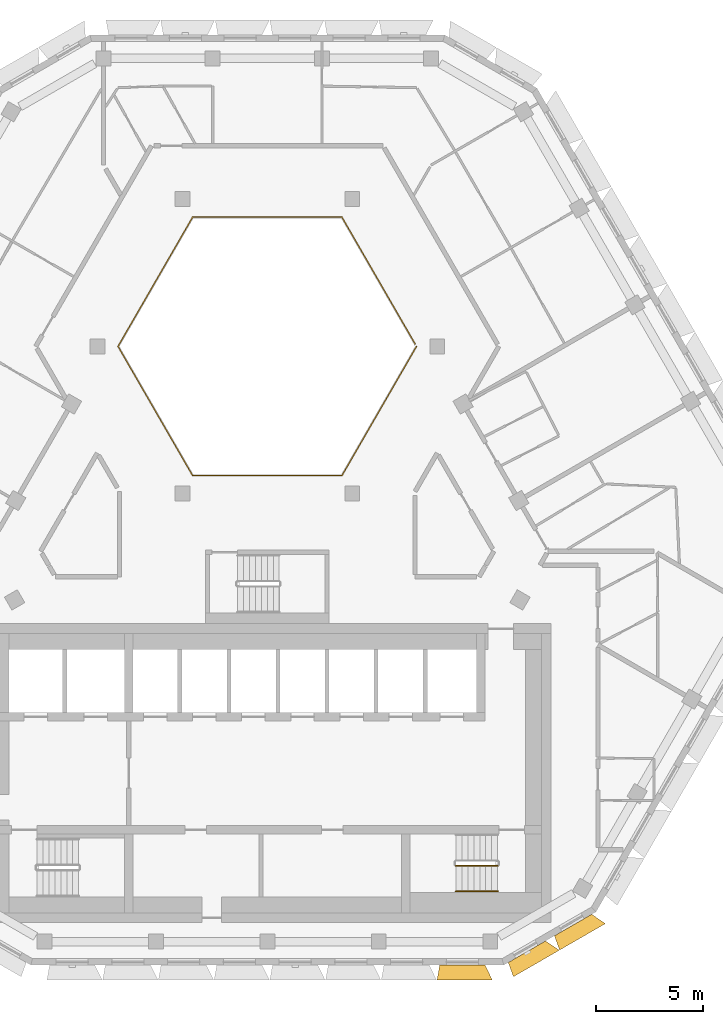
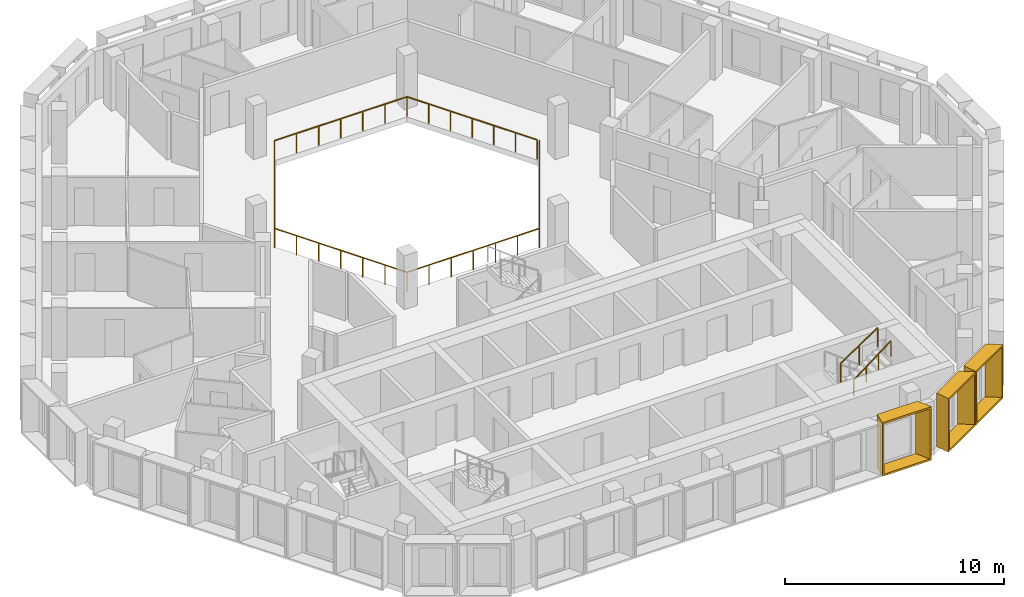
# One storey, part 14 of 16: 3 railings, 3 shading devices.
"""IFC4 building model written with IfcOpenShell, lengths in metres."""

from ifc_helpers import new_model, entity, si_unit, direction, frame, origin, origin_2d, place, context, subcontext, project, spatial, rectangle, extrude, source, transform, mapped, material, type_object, type_shapes, element, save


model = new_model("IFC4")

# Units and contexts
model_context = context("Model", 3, precision=1e-05, world=origin(), true_north=direction((0.0, 1.0)))
body_context = subcontext(model_context, "Body", "Model", "MODEL_VIEW")
ifc_project = project(units=[si_unit("LENGTHUNIT", "METRE"), si_unit("AREAUNIT", "SQUARE_METRE"), si_unit("VOLUMEUNIT", "CUBIC_METRE"), si_unit("PLANEANGLEUNIT", "RADIAN"), si_unit("MASSUNIT", "GRAM", prefix="KILO")], contexts=[model_context])

# Site, building, storey
site_placement = place(None, origin())
site = spatial("IfcSite", under=ifc_project, at=site_placement, CompositionType="ELEMENT")
building_placement = place(site_placement, origin())
building = spatial("IfcBuilding", under=site, at=building_placement, Name="Beryl Residences", CompositionType="ELEMENT")
storey_placement = place(building_placement, frame((0.0, 0.0, 238.800048828125)))
storey = spatial("IfcBuildingStorey", under=building, at=storey_placement, Name="L74", CompositionType="ELEMENT", Elevation=238.800048828125)

# Railing
ifc_material_1 = material(Name="Stainless steel balustrade with glass infill", Category="steel")
railing_type_1 = type_object("IfcRailingType", Name="EG1 edge guard 1100 mm", PredefinedType="GUARDRAIL", material=ifc_material_1)
railing_1_placement = place(storey_placement, frame((6.9970703125, 8.0, 0.0)))
element("IfcRailing", 1, at=railing_1_placement, inside=storey, type_object=railing_type_1, Name="L74 atrium guard", PredefinedType="GUARDRAIL", context=body_context, shape_type="SweptSolid", body=[
    extrude(rectangle(XDim=0.048095703125, YDim=0.048095703125, at=origin_2d()), frame((0.0, 0.0, 1.076171875), z_axis=(-0.499921796684, -0.866070549782, 0.0), x_axis=(0.866070549782, -0.499921796684, 0.0)), (0.0, 0.0, 1.0), 6.9970703125),
    extrude(rectangle(XDim=0.048095703125, YDim=0.048095703125, at=origin_2d()), frame((-3.498046875, -6.06005859375, 1.076171875), z_axis=(-1.0, 0.0, 0.0), x_axis=(0.0, -1.0, 0.0)), (0.0, 0.0, 1.0), 6.998046875),
    extrude(rectangle(XDim=0.048095703125, YDim=0.048095703125, at=origin_2d()), frame((-10.49609375, -6.06005859375, 1.076171875), z_axis=(-0.499921796684, 0.866070549782, 0.0), x_axis=(-0.866070549782, -0.499921796684, 0.0)), (0.0, 0.0, 1.0), 6.9970703125),
    extrude(rectangle(XDim=0.048095703125, YDim=0.048095703125, at=origin_2d()), frame((-13.994140625, 0.0, 1.076171875), z_axis=(0.499921796684, 0.866070549782, 0.0), x_axis=(-0.866070549782, 0.499921796684, 0.0)), (0.0, 0.0, 1.0), 6.9970703125),
    extrude(rectangle(XDim=0.048095703125, YDim=0.048095703125, at=origin_2d()), frame((-10.49609375, 6.06005859375, 1.076171875), z_axis=(1.0, 0.0, 0.0), x_axis=(0.0, 1.0, 0.0)), (0.0, 0.0, 1.0), 6.998046875),
    extrude(rectangle(XDim=0.048095703125, YDim=0.048095703125, at=origin_2d()), frame((-3.498046875, 6.06005859375, 1.076171875), z_axis=(0.499919131929, -0.866072087953, 0.0), x_axis=(0.866072087953, 0.499919131929, 0.0)), (0.0, 0.0, 1.0), 6.877197265625),
    extrude(rectangle(XDim=0.0419921875, YDim=0.0419921875, at=origin_2d()), origin(), (0.0, 0.0, 1.0), 1.052001953125),
    extrude(rectangle(XDim=0.0419921875, YDim=0.0419921875, at=origin_2d()), frame((-0.5830078125, -1.010009765625, 0.0)), (0.0, 0.0, 1.0), 1.052001953125),
    extrude(rectangle(XDim=0.0419921875, YDim=0.0419921875, at=origin_2d()), frame((-1.166015625, -2.02001953125, 0.0)), (0.0, 0.0, 1.0), 1.052001953125),
    extrude(rectangle(XDim=0.0419921875, YDim=0.0419921875, at=origin_2d()), frame((-1.7490234375, -3.030029296875, 0.0)), (0.0, 0.0, 1.0), 1.052001953125),
    extrude(rectangle(XDim=0.0419921875, YDim=0.0419921875, at=origin_2d()), frame((-2.33203125, -4.0400390625, 0.0)), (0.0, 0.0, 1.0), 1.052001953125),
    extrude(rectangle(XDim=0.0419921875, YDim=0.0419921875, at=origin_2d()), frame((-2.9150390625, -5.050048828125, 0.0)), (0.0, 0.0, 1.0), 1.052001953125),
    extrude(rectangle(XDim=0.0419921875, YDim=0.0419921875, at=origin_2d()), frame((-3.498046875, -6.06005859375, 0.0)), (0.0, 0.0, 1.0), 1.052001953125),
    extrude(rectangle(XDim=0.0419921875, YDim=0.0419921875, at=origin_2d()), frame((-4.664306640625, -6.06005859375, 0.0)), (0.0, 0.0, 1.0), 1.052001953125),
    extrude(rectangle(XDim=0.0419921875, YDim=0.0419921875, at=origin_2d()), frame((-5.830810546875, -6.06005859375, 0.0)), (0.0, 0.0, 1.0), 1.052001953125),
    extrude(rectangle(XDim=0.0419921875, YDim=0.0419921875, at=origin_2d()), frame((-6.9970703125, -6.06005859375, 0.0)), (0.0, 0.0, 1.0), 1.052001953125),
    extrude(rectangle(XDim=0.0419921875, YDim=0.0419921875, at=origin_2d()), frame((-8.163330078125, -6.06005859375, 0.0)), (0.0, 0.0, 1.0), 1.052001953125),
    extrude(rectangle(XDim=0.0419921875, YDim=0.0419921875, at=origin_2d()), frame((-9.329833984375, -6.06005859375, 0.0)), (0.0, 0.0, 1.0), 1.052001953125),
    extrude(rectangle(XDim=0.0419921875, YDim=0.0419921875, at=origin_2d()), frame((-10.49609375, -6.06005859375, 0.0)), (0.0, 0.0, 1.0), 1.052001953125),
    extrude(rectangle(XDim=0.0419921875, YDim=0.0419921875, at=origin_2d()), frame((-11.0791015625, -5.050048828125, 0.0)), (0.0, 0.0, 1.0), 1.052001953125),
    extrude(rectangle(XDim=0.0419921875, YDim=0.0419921875, at=origin_2d()), frame((-11.662109375, -4.0400390625, 0.0)), (0.0, 0.0, 1.0), 1.052001953125),
    extrude(rectangle(XDim=0.0419921875, YDim=0.0419921875, at=origin_2d()), frame((-12.2451171875, -3.030029296875, 0.0)), (0.0, 0.0, 1.0), 1.052001953125),
    extrude(rectangle(XDim=0.0419921875, YDim=0.0419921875, at=origin_2d()), frame((-12.828125, -2.02001953125, 0.0)), (0.0, 0.0, 1.0), 1.052001953125),
    extrude(rectangle(XDim=0.0419921875, YDim=0.0419921875, at=origin_2d()), frame((-13.4111328125, -1.010009765625, 0.0)), (0.0, 0.0, 1.0), 1.052001953125),
    extrude(rectangle(XDim=0.0419921875, YDim=0.0419921875, at=origin_2d()), frame((-13.994140625, 0.0, 0.0)), (0.0, 0.0, 1.0), 1.052001953125),
    extrude(rectangle(XDim=0.0419921875, YDim=0.0419921875, at=origin_2d()), frame((-13.4111328125, 1.010009765625, 0.0)), (0.0, 0.0, 1.0), 1.052001953125),
    extrude(rectangle(XDim=0.0419921875, YDim=0.0419921875, at=origin_2d()), frame((-12.828125, 2.02001953125, 0.0)), (0.0, 0.0, 1.0), 1.052001953125),
    extrude(rectangle(XDim=0.0419921875, YDim=0.0419921875, at=origin_2d()), frame((-12.2451171875, 3.030029296875, 0.0)), (0.0, 0.0, 1.0), 1.052001953125),
    extrude(rectangle(XDim=0.0419921875, YDim=0.0419921875, at=origin_2d()), frame((-11.662109375, 4.0400390625, 0.0)), (0.0, 0.0, 1.0), 1.052001953125),
    extrude(rectangle(XDim=0.0419921875, YDim=0.0419921875, at=origin_2d()), frame((-11.0791015625, 5.050048828125, 0.0)), (0.0, 0.0, 1.0), 1.052001953125),
    extrude(rectangle(XDim=0.0419921875, YDim=0.0419921875, at=origin_2d()), frame((-10.49609375, 6.06005859375, 0.0)), (0.0, 0.0, 1.0), 1.052001953125),
    extrude(rectangle(XDim=0.0419921875, YDim=0.0419921875, at=origin_2d()), frame((-9.329833984375, 6.06005859375, 0.0)), (0.0, 0.0, 1.0), 1.052001953125),
    extrude(rectangle(XDim=0.0419921875, YDim=0.0419921875, at=origin_2d()), frame((-8.163330078125, 6.06005859375, 0.0)), (0.0, 0.0, 1.0), 1.052001953125),
    extrude(rectangle(XDim=0.0419921875, YDim=0.0419921875, at=origin_2d()), frame((-6.9970703125, 6.06005859375, 0.0)), (0.0, 0.0, 1.0), 1.052001953125),
    extrude(rectangle(XDim=0.0419921875, YDim=0.0419921875, at=origin_2d()), frame((-5.830810546875, 6.06005859375, 0.0)), (0.0, 0.0, 1.0), 1.052001953125),
    extrude(rectangle(XDim=0.0419921875, YDim=0.0419921875, at=origin_2d()), frame((-4.664306640625, 6.06005859375, 0.0)), (0.0, 0.0, 1.0), 1.052001953125),
    extrude(rectangle(XDim=0.0419921875, YDim=0.0419921875, at=origin_2d()), frame((-3.498046875, 6.06005859375, 0.0)), (0.0, 0.0, 1.0), 1.052001953125),
    extrude(rectangle(XDim=0.0419921875, YDim=0.0419921875, at=origin_2d()), frame((-2.925048828125, 5.0673828125, 0.0)), (0.0, 0.0, 1.0), 1.052001953125),
    extrude(rectangle(XDim=0.0419921875, YDim=0.0419921875, at=origin_2d()), frame((-2.35205078125, 4.07470703125, 0.0)), (0.0, 0.0, 1.0), 1.052001953125),
    extrude(rectangle(XDim=0.0419921875, YDim=0.0419921875, at=origin_2d()), frame((-1.779052734375, 3.08203125, 0.0)), (0.0, 0.0, 1.0), 1.052001953125),
    extrude(rectangle(XDim=0.0419921875, YDim=0.0419921875, at=origin_2d()), frame((-1.2060546875, 2.08935546875, 0.0)), (0.0, 0.0, 1.0), 1.052001953125),
    extrude(rectangle(XDim=0.0419921875, YDim=0.0419921875, at=origin_2d()), frame((-0.633056640625, 1.0966796875, 0.0)), (0.0, 0.0, 1.0), 1.052001953125),
    extrude(rectangle(XDim=0.0419921875, YDim=0.0419921875, at=origin_2d()), frame((-0.06005859375, 0.10400390625, 0.0)), (0.0, 0.0, 1.0), 1.052001953125),
])

# Shading devices
ifc_material_2 = material(Name="Aluminium pale anodised", Category="aluminium")
shading_device_type_1 = type_object("IfcShadingDeviceType", Name="FR250-70C OUTER SKIN frame 700 mm deep, splay 10/26 deg, 2500 x 3000 mm cell", PredefinedType="USERDEFINED", material=ifc_material_2)
cartesian_point_1 = entity("IfcCartesianPoint", [-1.007568359375, 0.0])
cartesian_point_2 = entity("IfcCartesianPoint", [-0.92626953125, 0.10009765625])
cartesian_point_3 = entity("IfcCartesianPoint", [-1.130859375, 0.0])
cartesian_point_4 = entity("IfcCartesianPoint", [-1.0498046875, 0.10009765625])
shared_shape_1 = source(origin(), body_context, "Body", "SweptSolid", [
    entity("IfcExtrudedAreaSolidTapered", entity("IfcArbitraryProfileDefWithVoids", "AREA", None, entity("IfcPolyline", [cartesian_point_1, entity("IfcCartesianPoint", [1.007568359375, 0.0]), entity("IfcCartesianPoint", [1.007568359375, 3.0]), entity("IfcCartesianPoint", [-1.007568359375, 3.0]), cartesian_point_1]), [entity("IfcPolyline", [cartesian_point_2, entity("IfcCartesianPoint", [0.91845703125, 0.10009765625]), entity("IfcCartesianPoint", [0.91845703125, 2.89990234375]), entity("IfcCartesianPoint", [-0.92626953125, 2.89990234375]), cartesian_point_2])]), entity("IfcAxis2Placement3D", entity("IfcCartesianPoint", [0.0, 0.0, 0.0]), entity("IfcDirection", [0.0, 1.0, 0.0]), entity("IfcDirection", [-1.0, 0.0, 0.0])), entity("IfcDirection", [0.0, 0.0, 1.0]), 0.699951171875, entity("IfcArbitraryProfileDefWithVoids", "AREA", None, entity("IfcPolyline", [cartesian_point_3, entity("IfcCartesianPoint", [1.348876953125, 0.0]), entity("IfcCartesianPoint", [1.348876953125, 3.0]), entity("IfcCartesianPoint", [-1.130859375, 3.0]), cartesian_point_3]), [entity("IfcPolyline", [cartesian_point_4, entity("IfcCartesianPoint", [1.260009765625, 0.10009765625]), entity("IfcCartesianPoint", [1.260009765625, 2.89990234375]), entity("IfcCartesianPoint", [-1.0498046875, 2.89990234375]), cartesian_point_4])])),
])
type_shapes(shading_device_type_1, [shared_shape_1])
for number, where, z_axis, x_axis, name in (
    (2, (12.16796875, -20.375, 0.0), (0.0, 0.0, 1.0), (-0.866025403784, -0.5, 0.0), "FR250-70C frame L74 S-SE 1"),
    (3, (14.33203125, -19.125, 0.0), (0.0, 0.0, 1.0), (-0.866025403784, -0.5, 0.0), "FR250-70C frame L74 S-SE 2"),
):
    element("IfcShadingDevice", number, at=place(storey_placement, frame(where, z_axis=z_axis, x_axis=x_axis)), inside=storey, type_object=shading_device_type_1, Name=name, ObjectType="OUTER SKIN", PredefinedType="USERDEFINED", context=body_context, shape_type="MappedRepresentation", body=[
        mapped(shared_shape_1, transform((0.0, 0.0, 0.0))),
    ])
ifc_material_3 = material(Name="Aluminium pale anodised", Category="aluminium")
shading_device_type_2 = type_object("IfcShadingDeviceType", Name="FR261-70C OUTER SKIN frame 700 mm deep, splay 10/26 deg, 2610 x 3000 mm cell", PredefinedType="USERDEFINED", material=ifc_material_3)
cartesian_point_5 = entity("IfcCartesianPoint", [-1.0625, 0.0])
cartesian_point_6 = entity("IfcCartesianPoint", [-0.981201171875, 0.10009765625])
cartesian_point_7 = entity("IfcCartesianPoint", [-1.18603515625, 0.0])
cartesian_point_8 = entity("IfcCartesianPoint", [-1.104736328125, 0.10009765625])
shared_shape_2 = source(origin(), body_context, "Body", "SweptSolid", [
    entity("IfcExtrudedAreaSolidTapered", entity("IfcArbitraryProfileDefWithVoids", "AREA", None, entity("IfcPolyline", [cartesian_point_5, entity("IfcCartesianPoint", [1.0625, 0.0]), entity("IfcCartesianPoint", [1.0625, 3.0]), entity("IfcCartesianPoint", [-1.0625, 3.0]), cartesian_point_5]), [entity("IfcPolyline", [cartesian_point_6, entity("IfcCartesianPoint", [0.973388671875, 0.10009765625]), entity("IfcCartesianPoint", [0.973388671875, 2.89990234375]), entity("IfcCartesianPoint", [-0.981201171875, 2.89990234375]), cartesian_point_6])]), entity("IfcAxis2Placement3D", entity("IfcCartesianPoint", [0.0, 0.0, 0.0]), entity("IfcDirection", [0.0, 1.0, 0.0]), entity("IfcDirection", [-1.0, 0.0, 0.0])), entity("IfcDirection", [0.0, 0.0, 1.0]), 0.699951171875, entity("IfcArbitraryProfileDefWithVoids", "AREA", None, entity("IfcPolyline", [cartesian_point_7, entity("IfcCartesianPoint", [1.40380859375, 0.0]), entity("IfcCartesianPoint", [1.40380859375, 3.0]), entity("IfcCartesianPoint", [-1.18603515625, 3.0]), cartesian_point_7]), [entity("IfcPolyline", [cartesian_point_8, entity("IfcCartesianPoint", [1.31494140625, 0.10009765625]), entity("IfcCartesianPoint", [1.31494140625, 2.89990234375]), entity("IfcCartesianPoint", [-1.104736328125, 2.89990234375]), cartesian_point_8])])),
])
type_shapes(shading_device_type_2, [shared_shape_2])
shading_device_placement = place(storey_placement, frame((9.14404296875, -21.0, 0.0), z_axis=(0.0, 0.0, 1.0), x_axis=(-1.0, 0.0, 0.0)))
element("IfcShadingDevice", 4, at=shading_device_placement, inside=storey, type_object=shading_device_type_2, Name="FR261-70C frame L74 S 8", ObjectType="OUTER SKIN", PredefinedType="USERDEFINED", context=body_context, shape_type="MappedRepresentation", body=[
    mapped(shared_shape_2, transform((0.0, 0.0, 0.0))),
])

# Railings
ifc_material_4 = material(Name="Stainless steel balustrade with glass infill", Category="steel")
railing_type_2 = type_object("IfcRailingType", Name="SG1 stair guard 1100 mm", PredefinedType="GUARDRAIL", material=ifc_material_4)
railing_2_placement = place(storey_placement, frame((8.840087890625, -16.35009765625, 1.6875)))
element("IfcRailing", 5, at=railing_2_placement, inside=storey, type_object=railing_type_2, Name="L74 ST-3 stair guard 3", PredefinedType="GUARDRAIL", context=body_context, shape_type="SweptSolid", body=[
    extrude(rectangle(XDim=0.048095703125, YDim=0.048095703125, at=origin_2d()), frame((0.0, 0.0, 1.076171875), z_axis=(0.830902050051, 0.0, 0.556418712142), x_axis=(0.0, 1.0, 0.0)), (0.0, 0.0, 1.0), 2.35888671875),
    extrude(rectangle(XDim=0.0419921875, YDim=0.0419921875, at=origin_2d()), origin(), (0.0, 0.0, 1.0), 1.052001953125),
    extrude(rectangle(XDim=0.0419921875, YDim=0.0419921875, at=origin_2d()), frame((0.97998046875, 0.0, 0.65625)), (0.0, 0.0, 1.0), 1.052001953125),
    extrude(rectangle(XDim=0.0419921875, YDim=0.0419921875, at=origin_2d()), frame((1.9599609375, 0.0, 1.3125)), (0.0, 0.0, 1.0), 1.052001953125),
])
ifc_material_5 = material(Name="Stainless steel handrail", Category="steel")
railing_type_3 = type_object("IfcRailingType", Name="SRL1 stair handrail 900 mm", PredefinedType="HANDRAIL", material=ifc_material_5)
railing_3_placement = place(storey_placement, frame((8.840087890625, -17.550048828125, 1.6875)))
element("IfcRailing", 6, at=railing_3_placement, inside=storey, type_object=railing_type_3, Name="L74 ST-3 stair handrail 2", PredefinedType="HANDRAIL", context=body_context, shape_type="SweptSolid", body=[
    extrude(rectangle(XDim=0.048095703125, YDim=0.048095703125, at=origin_2d()), frame((0.0, 0.0, 0.8759765625), z_axis=(0.794121922505, 0.0, 0.607758481798), x_axis=(0.0, 1.0, 0.0)), (0.0, 0.0, 1.0), 2.468017578125),
    extrude(rectangle(XDim=0.0419921875, YDim=0.0419921875, at=origin_2d()), origin(), (0.0, 0.0, 1.0), 0.851806640625),
    extrude(rectangle(XDim=0.0419921875, YDim=0.0419921875, at=origin_2d()), frame((0.6533203125, 0.0, 0.5)), (0.0, 0.0, 1.0), 0.851806640625),
    extrude(rectangle(XDim=0.0419921875, YDim=0.0419921875, at=origin_2d()), frame((1.306640625, 0.0, 1.0)), (0.0, 0.0, 1.0), 0.851806640625),
    extrude(rectangle(XDim=0.0419921875, YDim=0.0419921875, at=origin_2d()), frame((1.9599609375, 0.0, 1.5)), (0.0, 0.0, 1.0), 0.851806640625),
])

save(model, "model.ifc")
